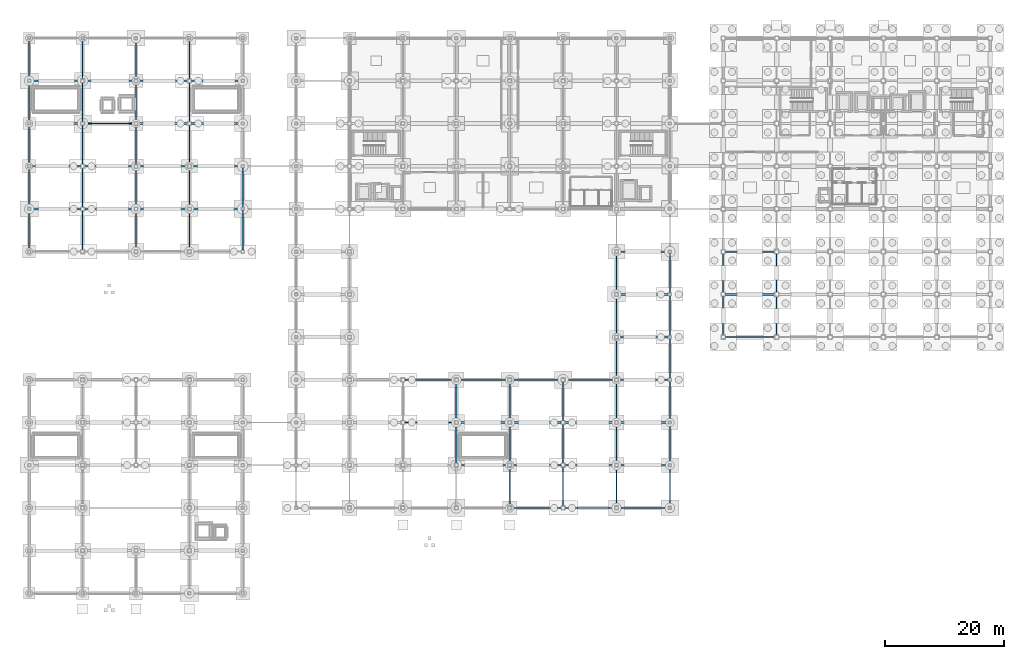
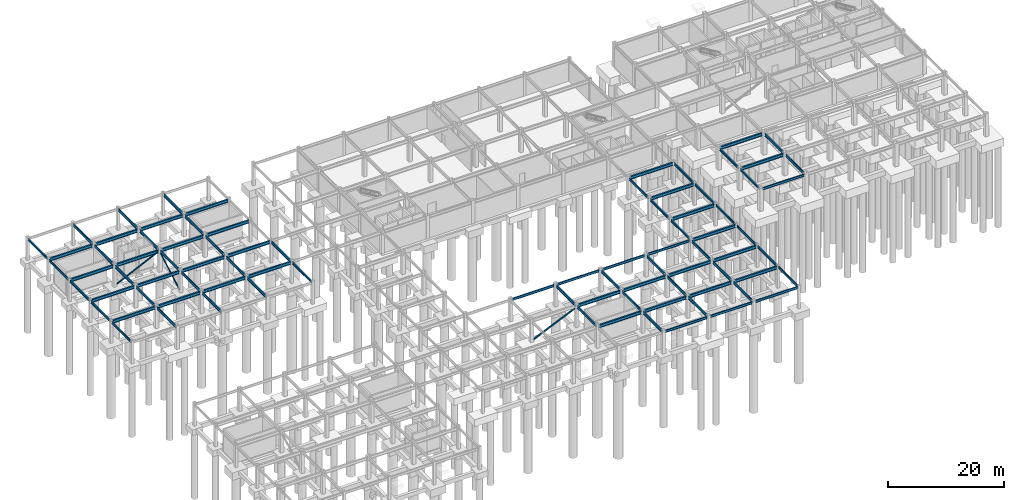
# One storey, part 18 of 28: 84 beams, 3 members.
"""IFC4 building model written with IfcOpenShell, lengths in metres."""

from ifc_helpers import new_model, si_unit, direction, frame, origin, origin_2d, place, context, subcontext, project, spatial, hollow_rectangle, i_section, extrude, material, material_profile, profile_set, type_object, element, save


model = new_model("IFC4")

# Units and contexts
model_context = context("Model", 3, precision=1e-05, world=origin(), true_north=direction((0.0, 1.0)))
body_context = subcontext(model_context, "Body", "Model", "MODEL_VIEW")
ifc_project = project(units=[si_unit("LENGTHUNIT", "METRE"), si_unit("AREAUNIT", "SQUARE_METRE"), si_unit("VOLUMEUNIT", "CUBIC_METRE"), si_unit("PLANEANGLEUNIT", "RADIAN"), si_unit("MASSUNIT", "GRAM", prefix="KILO")], contexts=[model_context])

# Site, building, storey
site_placement = place(None, origin())
site = spatial("IfcSite", under=ifc_project, at=site_placement, CompositionType="ELEMENT")
building_placement = place(site_placement, origin())
building = spatial("IfcBuilding", under=site, at=building_placement, Name="Kazanami Central Library", CompositionType="ELEMENT")
storey_placement = place(building_placement, frame((0.0, 0.0, -4.89990234375)))
storey = spatial("IfcBuildingStorey", under=building, at=storey_placement, Name="B01", CompositionType="ELEMENT", Elevation=-4.89990234375)

# Beams
ifc_material_1 = material(Name="Steel SN490B (325 MPa)", Category="steel")
ifc_material_profile_1 = material_profile(ifc_material_1, i_section(OverallWidth=0.199951171875, OverallDepth=0.60009765625, WebThickness=0.010986328125, FlangeThickness=0.01708984375, at=origin_2d()), Name="H-600x200x11x17")
ifc_profile_set_1 = profile_set([ifc_material_profile_1], Name="Steel SN490B (325 MPa)")
beam_type_1 = type_object("IfcBeamType", Name="BM-G-BY1", PredefinedType="BEAM", material=ifc_profile_set_1)
for number, where, z_axis, x_axis, name in (
    (1, (9.0, 57.923095703125, 4.324951171875), (0.0, 1.0, 0.0), (-1.0, 0.0, 0.0), "Girder G-BY1 B01 2/J-K"),
    (2, (9.0, 65.123046875, 4.324951171875), (0.0, 1.0, 0.0), (-1.0, 0.0, 0.0), "Girder G-BY1 B01 2/K-L"),
    (3, (9.0, 72.322998046875, 4.324951171875), (0.0, 1.0, 0.0), (-1.0, 0.0, 0.0), "Girder G-BY1 B01 2/L-M"),
    (4, (9.0, 79.52294921875, 4.324951171875), (0.0, 1.0, 0.0), (-1.0, 0.0, 0.0), "Girder G-BY1 B01 2/M-N"),
):
    element("IfcBeam", number, at=place(storey_placement, frame(where, z_axis=z_axis, x_axis=x_axis)), inside=storey, type_object=beam_type_1, Name=name, PredefinedType="BEAM", context=body_context, shape_type="SweptSolid", body=[
        extrude(i_section(OverallWidth=0.199951171875, OverallDepth=0.60009765625, WebThickness=0.010986328125, FlangeThickness=0.01708984375, at=origin_2d()), origin(), (0.0, 0.0, 1.0), 6.553955078125),
    ])
beam_1_placement = place(storey_placement, frame((9.0, 86.722900390625, 4.324951171875), z_axis=(0.0, 1.0, 0.0), x_axis=(-1.0, 0.0, 0.0)))
element("IfcBeam", 5, at=beam_1_placement, inside=storey, type_object=beam_type_1, Name="Girder G-BY1 B01 2/N-O", PredefinedType="BEAM", context=body_context, shape_type="SweptSolid", body=[
    extrude(i_section(OverallWidth=0.199951171875, OverallDepth=0.60009765625, WebThickness=0.010986328125, FlangeThickness=0.01708984375, at=origin_2d()), origin(), (0.0, 0.0, 1.0), 6.629150390625),
])
for number, where, z_axis, x_axis, name in (
    (6, (18.0, 57.923095703125, 4.324951171875), (0.0, 1.0, 0.0), (-1.0, 0.0, 0.0), "Girder G-BY1 B01 3/J-K"),
    (7, (18.0, 65.123046875, 4.324951171875), (0.0, 1.0, 0.0), (-1.0, 0.0, 0.0), "Girder G-BY1 B01 3/K-L"),
    (8, (18.0, 72.322998046875, 4.324951171875), (0.0, 1.0, 0.0), (-1.0, 0.0, 0.0), "Girder G-BY1 B01 3/L-M"),
    (9, (18.0, 79.52294921875, 4.324951171875), (0.0, 1.0, 0.0), (-1.0, 0.0, 0.0), "Girder G-BY1 B01 3/M-N"),
):
    element("IfcBeam", number, at=place(storey_placement, frame(where, z_axis=z_axis, x_axis=x_axis)), inside=storey, type_object=beam_type_1, Name=name, PredefinedType="BEAM", context=body_context, shape_type="SweptSolid", body=[
        extrude(i_section(OverallWidth=0.199951171875, OverallDepth=0.60009765625, WebThickness=0.010986328125, FlangeThickness=0.01708984375, at=origin_2d()), origin(), (0.0, 0.0, 1.0), 6.553955078125),
    ])
beam_2_placement = place(storey_placement, frame((18.0, 86.722900390625, 4.324951171875), z_axis=(0.0, 1.0, 0.0), x_axis=(-1.0, 0.0, 0.0)))
element("IfcBeam", 10, at=beam_2_placement, inside=storey, type_object=beam_type_1, Name="Girder G-BY1 B01 3/N-O", PredefinedType="BEAM", context=body_context, shape_type="SweptSolid", body=[
    extrude(i_section(OverallWidth=0.199951171875, OverallDepth=0.60009765625, WebThickness=0.010986328125, FlangeThickness=0.01708984375, at=origin_2d()), origin(), (0.0, 0.0, 1.0), 6.629150390625),
])
for number, where, z_axis, x_axis, name in (
    (11, (27.0, 57.923095703125, 4.324951171875), (0.0, 1.0, 0.0), (-1.0, 0.0, 0.0), "Girder G-BY1 B01 4/J-K"),
    (12, (27.0, 65.123046875, 4.324951171875), (0.0, 1.0, 0.0), (-1.0, 0.0, 0.0), "Girder G-BY1 B01 4/K-L"),
    (13, (27.0, 72.322998046875, 4.324951171875), (0.0, 1.0, 0.0), (-1.0, 0.0, 0.0), "Girder G-BY1 B01 4/L-M"),
    (14, (27.0, 79.52294921875, 4.324951171875), (0.0, 1.0, 0.0), (-1.0, 0.0, 0.0), "Girder G-BY1 B01 4/M-N"),
):
    element("IfcBeam", number, at=place(storey_placement, frame(where, z_axis=z_axis, x_axis=x_axis)), inside=storey, type_object=beam_type_1, Name=name, PredefinedType="BEAM", context=body_context, shape_type="SweptSolid", body=[
        extrude(i_section(OverallWidth=0.199951171875, OverallDepth=0.60009765625, WebThickness=0.010986328125, FlangeThickness=0.01708984375, at=origin_2d()), origin(), (0.0, 0.0, 1.0), 6.553955078125),
    ])
beam_3_placement = place(storey_placement, frame((27.0, 86.722900390625, 4.324951171875), z_axis=(0.0, 1.0, 0.0), x_axis=(-1.0, 0.0, 0.0)))
element("IfcBeam", 15, at=beam_3_placement, inside=storey, type_object=beam_type_1, Name="Girder G-BY1 B01 4/N-O", PredefinedType="BEAM", context=body_context, shape_type="SweptSolid", body=[
    extrude(i_section(OverallWidth=0.199951171875, OverallDepth=0.60009765625, WebThickness=0.010986328125, FlangeThickness=0.01708984375, at=origin_2d()), origin(), (0.0, 0.0, 1.0), 6.629150390625),
])
beam_4_placement = place(storey_placement, frame((36.0, 65.048095703125, 4.324951171875), z_axis=(0.0, 1.0, 0.0), x_axis=(-1.0, 0.0, 0.0)))
element("IfcBeam", 16, at=beam_4_placement, inside=storey, type_object=beam_type_1, Name="Girder G-BY1 B01 5/K-L", PredefinedType="BEAM", context=body_context, shape_type="SweptSolid", body=[
    extrude(i_section(OverallWidth=0.199951171875, OverallDepth=0.60009765625, WebThickness=0.010986328125, FlangeThickness=0.01708984375, at=origin_2d()), origin(), (0.0, 0.0, 1.0), 6.703857421875),
])
for number, where, z_axis, x_axis, name in (
    (17, (72.0, 21.923095703125, 4.324951171875), (0.0, 1.0, 0.0), (-1.0, 0.0, 0.0), "Girder G-BY1 B01 9/D-E"),
    (18, (72.0, 29.123046875, 4.324951171875), (0.0, 1.0, 0.0), (-1.0, 0.0, 0.0), "Girder G-BY1 B01 9/E-F"),
):
    element("IfcBeam", number, at=place(storey_placement, frame(where, z_axis=z_axis, x_axis=x_axis)), inside=storey, type_object=beam_type_1, Name=name, PredefinedType="BEAM", context=body_context, shape_type="SweptSolid", body=[
        extrude(i_section(OverallWidth=0.199951171875, OverallDepth=0.60009765625, WebThickness=0.010986328125, FlangeThickness=0.01708984375, at=origin_2d()), origin(), (0.0, 0.0, 1.0), 6.553955078125),
    ])
beam_5_placement = place(storey_placement, frame((81.0, 14.722900390625, 4.35986328125), z_axis=(0.0, 1.0, 0.0), x_axis=(-1.0, 0.0, 0.0)))
element("IfcBeam", 19, at=beam_5_placement, inside=storey, type_object=beam_type_1, Name="Girder G-BY1 B01 10/C-D", PredefinedType="BEAM", context=body_context, shape_type="SweptSolid", body=[
    extrude(i_section(OverallWidth=0.199951171875, OverallDepth=0.60009765625, WebThickness=0.010986328125, FlangeThickness=0.01708984375, at=origin_2d()), origin(), (0.0, 0.0, 1.0), 6.55419921875),
])
for number, where, z_axis, x_axis, name in (
    (20, (81.0, 21.923095703125, 4.324951171875), (0.0, 1.0, 0.0), (-1.0, 0.0, 0.0), "Girder G-BY1 B01 10/D-E"),
    (21, (81.0, 29.123046875, 4.324951171875), (0.0, 1.0, 0.0), (-1.0, 0.0, 0.0), "Girder G-BY1 B01 10/E-F"),
):
    element("IfcBeam", number, at=place(storey_placement, frame(where, z_axis=z_axis, x_axis=x_axis)), inside=storey, type_object=beam_type_1, Name=name, PredefinedType="BEAM", context=body_context, shape_type="SweptSolid", body=[
        extrude(i_section(OverallWidth=0.199951171875, OverallDepth=0.60009765625, WebThickness=0.010986328125, FlangeThickness=0.01708984375, at=origin_2d()), origin(), (0.0, 0.0, 1.0), 6.553955078125),
    ])
beam_6_placement = place(storey_placement, frame((90.0, 14.722900390625, 4.35986328125), z_axis=(0.0, 1.0, 0.0), x_axis=(-1.0, 0.0, 0.0)))
element("IfcBeam", 22, at=beam_6_placement, inside=storey, type_object=beam_type_1, Name="Girder G-BY1 B01 11/C-D", PredefinedType="BEAM", context=body_context, shape_type="SweptSolid", body=[
    extrude(i_section(OverallWidth=0.199951171875, OverallDepth=0.60009765625, WebThickness=0.010986328125, FlangeThickness=0.01708984375, at=origin_2d()), origin(), (0.0, 0.0, 1.0), 6.55419921875),
])
for number, where, z_axis, x_axis, name in (
    (23, (90.0, 21.923095703125, 4.324951171875), (0.0, 1.0, 0.0), (-1.0, 0.0, 0.0), "Girder G-BY1 B01 11/D-E"),
    (24, (90.0, 29.123046875, 4.324951171875), (0.0, 1.0, 0.0), (-1.0, 0.0, 0.0), "Girder G-BY1 B01 11/E-F"),
):
    element("IfcBeam", number, at=place(storey_placement, frame(where, z_axis=z_axis, x_axis=x_axis)), inside=storey, type_object=beam_type_1, Name=name, PredefinedType="BEAM", context=body_context, shape_type="SweptSolid", body=[
        extrude(i_section(OverallWidth=0.199951171875, OverallDepth=0.60009765625, WebThickness=0.010986328125, FlangeThickness=0.01708984375, at=origin_2d()), origin(), (0.0, 0.0, 1.0), 6.553955078125),
    ])
beam_7_placement = place(storey_placement, frame((99.0, 14.722900390625, 4.35986328125), z_axis=(0.0, 1.0, 0.0), x_axis=(-1.0, 0.0, 0.0)))
element("IfcBeam", 25, at=beam_7_placement, inside=storey, type_object=beam_type_1, Name="Girder G-BY1 B01 12/C-D", PredefinedType="BEAM", context=body_context, shape_type="SweptSolid", body=[
    extrude(i_section(OverallWidth=0.199951171875, OverallDepth=0.60009765625, WebThickness=0.010986328125, FlangeThickness=0.01708984375, at=origin_2d()), origin(), (0.0, 0.0, 1.0), 6.55419921875),
])
for number, where, z_axis, x_axis, name in (
    (26, (99.0, 21.923095703125, 4.324951171875), (0.0, 1.0, 0.0), (-1.0, 0.0, 0.0), "Girder G-BY1 B01 12/D-E"),
    (27, (99.0, 29.123046875, 4.324951171875), (0.0, 1.0, 0.0), (-1.0, 0.0, 0.0), "Girder G-BY1 B01 12/E-F"),
):
    element("IfcBeam", number, at=place(storey_placement, frame(where, z_axis=z_axis, x_axis=x_axis)), inside=storey, type_object=beam_type_1, Name=name, PredefinedType="BEAM", context=body_context, shape_type="SweptSolid", body=[
        extrude(i_section(OverallWidth=0.199951171875, OverallDepth=0.60009765625, WebThickness=0.010986328125, FlangeThickness=0.01708984375, at=origin_2d()), origin(), (0.0, 0.0, 1.0), 6.553955078125),
    ])
for number, where, z_axis, x_axis, name in (
    (28, (126.0, 43.572998046875, 4.324951171875), (0.0, 1.0, 0.0), (-1.0, 0.0, 0.0), "Girder G-BY1 B01 15/G-H"),
    (29, (126.0, 50.77294921875, 4.324951171875), (0.0, 1.0, 0.0), (-1.0, 0.0, 0.0), "Girder G-BY1 B01 15/H-J"),
):
    element("IfcBeam", number, at=place(storey_placement, frame(where, z_axis=z_axis, x_axis=x_axis)), inside=storey, type_object=beam_type_1, Name=name, PredefinedType="BEAM", context=body_context, shape_type="SweptSolid", body=[
        extrude(i_section(OverallWidth=0.199951171875, OverallDepth=0.60009765625, WebThickness=0.010986328125, FlangeThickness=0.01708984375, at=origin_2d()), origin(), (0.0, 0.0, 1.0), 6.4541015625),
    ])
ifc_material_profile_2 = material_profile(ifc_material_1, i_section(OverallWidth=0.300048828125, OverallDepth=0.64990234375, WebThickness=0.012939453125, FlangeThickness=0.02099609375, at=origin_2d()), Name="H-650x300x13x21")
ifc_profile_set_2 = profile_set([ifc_material_profile_2], Name="Steel SN490B (325 MPa)")
beam_type_2 = type_object("IfcBeamType", Name="BM-G-TR", PredefinedType="BEAM", material=ifc_profile_set_2)
for number, where, z_axis, x_axis, name in (
    (30, (72.322998046875, 21.60009765625, 4.2998046875), (1.0, 0.0, 0.0), (0.0, 1.0, 0.0), "Girder G-TR B01 D/9-10"),
    (31, (81.322998046875, 21.60009765625, 4.2998046875), (1.0, 0.0, 0.0), (0.0, 1.0, 0.0), "Girder G-TR B01 D/10-11"),
    (32, (90.322998046875, 21.60009765625, 4.2998046875), (1.0, 0.0, 0.0), (0.0, 1.0, 0.0), "Girder G-TR B01 D/11-12"),
):
    element("IfcBeam", number, at=place(storey_placement, frame(where, z_axis=z_axis, x_axis=x_axis)), inside=storey, type_object=beam_type_2, Name=name, PredefinedType="BEAM", context=body_context, shape_type="SweptSolid", body=[
        extrude(i_section(OverallWidth=0.300048828125, OverallDepth=0.64990234375, WebThickness=0.012939453125, FlangeThickness=0.02099609375, at=origin_2d()), origin(), (0.0, 0.0, 1.0), 8.35400390625),
    ])
beam_8_placement = place(storey_placement, frame((99.322998046875, 21.60009765625, 4.2998046875), z_axis=(1.0, 0.0, 0.0), x_axis=(0.0, 1.0, 0.0)))
element("IfcBeam", 33, at=beam_8_placement, inside=storey, type_object=beam_type_2, Name="Girder G-TR B01 D/12-13", PredefinedType="BEAM", context=body_context, shape_type="SweptSolid", body=[
    extrude(i_section(OverallWidth=0.300048828125, OverallDepth=0.64990234375, WebThickness=0.012939453125, FlangeThickness=0.02099609375, at=origin_2d()), origin(), (0.0, 0.0, 1.0), 8.428955078125),
])
for number, where, z_axis, x_axis, name in (
    (34, (72.322998046875, 28.800048828125, 4.2998046875), (1.0, 0.0, 0.0), (0.0, 1.0, 0.0), "Girder G-TR B01 E/9-10"),
    (35, (81.322998046875, 28.800048828125, 4.2998046875), (1.0, 0.0, 0.0), (0.0, 1.0, 0.0), "Girder G-TR B01 E/10-11"),
    (36, (90.322998046875, 28.800048828125, 4.2998046875), (1.0, 0.0, 0.0), (0.0, 1.0, 0.0), "Girder G-TR B01 E/11-12"),
):
    element("IfcBeam", number, at=place(storey_placement, frame(where, z_axis=z_axis, x_axis=x_axis)), inside=storey, type_object=beam_type_2, Name=name, PredefinedType="BEAM", context=body_context, shape_type="SweptSolid", body=[
        extrude(i_section(OverallWidth=0.300048828125, OverallDepth=0.64990234375, WebThickness=0.012939453125, FlangeThickness=0.02099609375, at=origin_2d()), origin(), (0.0, 0.0, 1.0), 8.35400390625),
    ])
for number, where, z_axis, x_axis, name in (
    (37, (99.322998046875, 28.800048828125, 4.2998046875), (1.0, 0.0, 0.0), (0.0, 1.0, 0.0), "Girder G-TR B01 E/12-13"),
    (38, (99.322998046875, 36.0, 4.2998046875), (1.0, 0.0, 0.0), (0.0, 1.0, 0.0), "Girder G-TR B01 F/12-13"),
    (39, (99.322998046875, 43.199951171875, 4.2998046875), (1.0, 0.0, 0.0), (0.0, 1.0, 0.0), "Girder G-TR B01 G/12-13"),
    (40, (99.322998046875, 50.39990234375, 4.2998046875), (1.0, 0.0, 0.0), (0.0, 1.0, 0.0), "Girder G-TR B01 H/12-13"),
):
    element("IfcBeam", number, at=place(storey_placement, frame(where, z_axis=z_axis, x_axis=x_axis)), inside=storey, type_object=beam_type_2, Name=name, PredefinedType="BEAM", context=body_context, shape_type="SweptSolid", body=[
        extrude(i_section(OverallWidth=0.300048828125, OverallDepth=0.64990234375, WebThickness=0.012939453125, FlangeThickness=0.02099609375, at=origin_2d()), origin(), (0.0, 0.0, 1.0), 8.428955078125),
    ])
beam_9_placement = place(storey_placement, frame((117.347900390625, 50.39990234375, 4.2998046875), z_axis=(1.0, 0.0, 0.0), x_axis=(0.0, 1.0, 0.0)))
element("IfcBeam", 41, at=beam_9_placement, inside=storey, type_object=beam_type_2, Name="Girder G-TR B01 H/14-15", PredefinedType="BEAM", context=body_context, shape_type="SweptSolid", body=[
    extrude(i_section(OverallWidth=0.300048828125, OverallDepth=0.64990234375, WebThickness=0.012939453125, FlangeThickness=0.02099609375, at=origin_2d()), origin(), (0.0, 0.0, 1.0), 8.279052734375),
])
beam_10_placement = place(storey_placement, frame((99.322998046875, 57.60009765625, 4.2998046875), z_axis=(1.0, 0.0, 0.0), x_axis=(0.0, 1.0, 0.0)))
element("IfcBeam", 42, at=beam_10_placement, inside=storey, type_object=beam_type_2, Name="Girder G-TR B01 J/12-13", PredefinedType="BEAM", context=body_context, shape_type="SweptSolid", body=[
    extrude(i_section(OverallWidth=0.300048828125, OverallDepth=0.64990234375, WebThickness=0.012939453125, FlangeThickness=0.02099609375, at=origin_2d()), origin(), (0.0, 0.0, 1.0), 8.428955078125),
])
beam_11_placement = place(storey_placement, frame((117.347900390625, 57.60009765625, 4.2998046875), z_axis=(1.0, 0.0, 0.0), x_axis=(0.0, 1.0, 0.0)))
element("IfcBeam", 43, at=beam_11_placement, inside=storey, type_object=beam_type_2, Name="Girder G-TR B01 J/14-15", PredefinedType="BEAM", context=body_context, shape_type="SweptSolid", body=[
    extrude(i_section(OverallWidth=0.300048828125, OverallDepth=0.64990234375, WebThickness=0.012939453125, FlangeThickness=0.02099609375, at=origin_2d()), origin(), (0.0, 0.0, 1.0), 8.279052734375),
])
beam_12_placement = place(storey_placement, frame((0.248046875, 64.800048828125, 4.2998046875), z_axis=(1.0, 0.0, 0.0), x_axis=(0.0, 1.0, 0.0)))
element("IfcBeam", 44, at=beam_12_placement, inside=storey, type_object=beam_type_2, Name="Girder G-TR B01 K/1-2", PredefinedType="BEAM", context=body_context, shape_type="SweptSolid", body=[
    extrude(i_section(OverallWidth=0.300048828125, OverallDepth=0.64990234375, WebThickness=0.012939453125, FlangeThickness=0.02099609375, at=origin_2d()), origin(), (0.0, 0.0, 1.0), 8.428955078125),
])
for number, where, z_axis, x_axis, name in (
    (45, (9.322998046875, 64.800048828125, 4.2998046875), (1.0, 0.0, 0.0), (0.0, 1.0, 0.0), "Girder G-TR B01 K/2-3"),
    (46, (18.322998046875, 64.800048828125, 4.2998046875), (1.0, 0.0, 0.0), (0.0, 1.0, 0.0), "Girder G-TR B01 K/3-4"),
):
    element("IfcBeam", number, at=place(storey_placement, frame(where, z_axis=z_axis, x_axis=x_axis)), inside=storey, type_object=beam_type_2, Name=name, PredefinedType="BEAM", context=body_context, shape_type="SweptSolid", body=[
        extrude(i_section(OverallWidth=0.300048828125, OverallDepth=0.64990234375, WebThickness=0.012939453125, FlangeThickness=0.02099609375, at=origin_2d()), origin(), (0.0, 0.0, 1.0), 8.35400390625),
    ])
for number, where, z_axis, x_axis, name in (
    (47, (27.322998046875, 64.800048828125, 4.2998046875), (1.0, 0.0, 0.0), (0.0, 1.0, 0.0), "Girder G-TR B01 K/4-5"),
    (48, (0.248046875, 72.0, 4.2998046875), (1.0, 0.0, 0.0), (0.0, 1.0, 0.0), "Girder G-TR B01 L/1-2"),
):
    element("IfcBeam", number, at=place(storey_placement, frame(where, z_axis=z_axis, x_axis=x_axis)), inside=storey, type_object=beam_type_2, Name=name, PredefinedType="BEAM", context=body_context, shape_type="SweptSolid", body=[
        extrude(i_section(OverallWidth=0.300048828125, OverallDepth=0.64990234375, WebThickness=0.012939453125, FlangeThickness=0.02099609375, at=origin_2d()), origin(), (0.0, 0.0, 1.0), 8.428955078125),
    ])
for number, where, z_axis, x_axis, name in (
    (49, (9.322998046875, 72.0, 4.2998046875), (1.0, 0.0, 0.0), (0.0, 1.0, 0.0), "Girder G-TR B01 L/2-3"),
    (50, (18.322998046875, 72.0, 4.2998046875), (1.0, 0.0, 0.0), (0.0, 1.0, 0.0), "Girder G-TR B01 L/3-4"),
):
    element("IfcBeam", number, at=place(storey_placement, frame(where, z_axis=z_axis, x_axis=x_axis)), inside=storey, type_object=beam_type_2, Name=name, PredefinedType="BEAM", context=body_context, shape_type="SweptSolid", body=[
        extrude(i_section(OverallWidth=0.300048828125, OverallDepth=0.64990234375, WebThickness=0.012939453125, FlangeThickness=0.02099609375, at=origin_2d()), origin(), (0.0, 0.0, 1.0), 8.35400390625),
    ])
for number, where, z_axis, x_axis, name in (
    (51, (27.322998046875, 72.0, 4.2998046875), (1.0, 0.0, 0.0), (0.0, 1.0, 0.0), "Girder G-TR B01 L/4-5"),
    (52, (0.248046875, 79.199951171875, 4.2998046875), (1.0, 0.0, 0.0), (0.0, 1.0, 0.0), "Girder G-TR B01 M/1-2"),
):
    element("IfcBeam", number, at=place(storey_placement, frame(where, z_axis=z_axis, x_axis=x_axis)), inside=storey, type_object=beam_type_2, Name=name, PredefinedType="BEAM", context=body_context, shape_type="SweptSolid", body=[
        extrude(i_section(OverallWidth=0.300048828125, OverallDepth=0.64990234375, WebThickness=0.012939453125, FlangeThickness=0.02099609375, at=origin_2d()), origin(), (0.0, 0.0, 1.0), 8.428955078125),
    ])
for number, where, z_axis, x_axis, name in (
    (53, (9.322998046875, 79.199951171875, 4.2998046875), (1.0, 0.0, 0.0), (0.0, 1.0, 0.0), "Girder G-TR B01 M/2-3"),
    (54, (18.322998046875, 79.199951171875, 4.2998046875), (1.0, 0.0, 0.0), (0.0, 1.0, 0.0), "Girder G-TR B01 M/3-4"),
):
    element("IfcBeam", number, at=place(storey_placement, frame(where, z_axis=z_axis, x_axis=x_axis)), inside=storey, type_object=beam_type_2, Name=name, PredefinedType="BEAM", context=body_context, shape_type="SweptSolid", body=[
        extrude(i_section(OverallWidth=0.300048828125, OverallDepth=0.64990234375, WebThickness=0.012939453125, FlangeThickness=0.02099609375, at=origin_2d()), origin(), (0.0, 0.0, 1.0), 8.35400390625),
    ])
for number, where, z_axis, x_axis, name in (
    (55, (27.322998046875, 79.199951171875, 4.2998046875), (1.0, 0.0, 0.0), (0.0, 1.0, 0.0), "Girder G-TR B01 M/4-5"),
    (56, (0.248046875, 86.39990234375, 4.2998046875), (1.0, 0.0, 0.0), (0.0, 1.0, 0.0), "Girder G-TR B01 N/1-2"),
):
    element("IfcBeam", number, at=place(storey_placement, frame(where, z_axis=z_axis, x_axis=x_axis)), inside=storey, type_object=beam_type_2, Name=name, PredefinedType="BEAM", context=body_context, shape_type="SweptSolid", body=[
        extrude(i_section(OverallWidth=0.300048828125, OverallDepth=0.64990234375, WebThickness=0.012939453125, FlangeThickness=0.02099609375, at=origin_2d()), origin(), (0.0, 0.0, 1.0), 8.428955078125),
    ])
for number, where, z_axis, x_axis, name in (
    (57, (9.322998046875, 86.39990234375, 4.2998046875), (1.0, 0.0, 0.0), (0.0, 1.0, 0.0), "Girder G-TR B01 N/2-3"),
    (58, (18.322998046875, 86.39990234375, 4.2998046875), (1.0, 0.0, 0.0), (0.0, 1.0, 0.0), "Girder G-TR B01 N/3-4"),
):
    element("IfcBeam", number, at=place(storey_placement, frame(where, z_axis=z_axis, x_axis=x_axis)), inside=storey, type_object=beam_type_2, Name=name, PredefinedType="BEAM", context=body_context, shape_type="SweptSolid", body=[
        extrude(i_section(OverallWidth=0.300048828125, OverallDepth=0.64990234375, WebThickness=0.012939453125, FlangeThickness=0.02099609375, at=origin_2d()), origin(), (0.0, 0.0, 1.0), 8.35400390625),
    ])
beam_13_placement = place(storey_placement, frame((27.322998046875, 86.39990234375, 4.2998046875), z_axis=(1.0, 0.0, 0.0), x_axis=(0.0, 1.0, 0.0)))
element("IfcBeam", 59, at=beam_13_placement, inside=storey, type_object=beam_type_2, Name="Girder G-TR B01 N/4-5", PredefinedType="BEAM", context=body_context, shape_type="SweptSolid", body=[
    extrude(i_section(OverallWidth=0.300048828125, OverallDepth=0.64990234375, WebThickness=0.012939453125, FlangeThickness=0.02099609375, at=origin_2d()), origin(), (0.0, 0.0, 1.0), 8.428955078125),
])
ifc_material_profile_3 = material_profile(ifc_material_1, i_section(OverallWidth=0.199951171875, OverallDepth=0.5, WebThickness=0.010009765625, FlangeThickness=0.01611328125, at=origin_2d()), Name="H-500x200x10x16")
ifc_profile_set_3 = profile_set([ifc_material_profile_3], Name="Steel SN490B (325 MPa)")
beam_type_3 = type_object("IfcBeamType", Name="BM-SP-1", PredefinedType="SPANDREL", material=ifc_profile_set_3)
for number, where, z_axis, x_axis, name in (
    (60, (81.322998046875, 14.39990234375, 4.409912109375), (1.0, 0.0, 0.0), (0.0, 1.0, 0.0), "Girder SP-1 B01 C/10-11"),
    (61, (90.322998046875, 14.39990234375, 4.409912109375), (1.0, 0.0, 0.0), (0.0, 1.0, 0.0), "Girder SP-1 B01 C/11-12"),
):
    element("IfcBeam", number, at=place(storey_placement, frame(where, z_axis=z_axis, x_axis=x_axis)), inside=storey, type_object=beam_type_3, Name=name, PredefinedType="SPANDREL", context=body_context, shape_type="SweptSolid", body=[
        extrude(i_section(OverallWidth=0.199951171875, OverallDepth=0.5, WebThickness=0.010009765625, FlangeThickness=0.01611328125, at=origin_2d()), origin(), (0.0, 0.0, 1.0), 8.35400390625),
    ])
beam_14_placement = place(storey_placement, frame((99.322998046875, 14.39990234375, 4.409912109375), z_axis=(1.0, 0.0, 0.0), x_axis=(0.0, 1.0, 0.0)))
element("IfcBeam", 62, at=beam_14_placement, inside=storey, type_object=beam_type_3, Name="Girder SP-1 B01 C/12-13", PredefinedType="SPANDREL", context=body_context, shape_type="SweptSolid", body=[
    extrude(i_section(OverallWidth=0.199951171875, OverallDepth=0.5, WebThickness=0.010009765625, FlangeThickness=0.01611328125, at=origin_2d()), origin(), (0.0, 0.0, 1.0), 8.428955078125),
])
for number, where, z_axis, x_axis, name in (
    (63, (63.322998046875, 36.0, 4.375), (1.0, 0.0, 0.0), (0.0, 1.0, 0.0), "Girder SP-1 B01 F/8-9"),
    (64, (72.322998046875, 36.0, 4.375), (1.0, 0.0, 0.0), (0.0, 1.0, 0.0), "Girder SP-1 B01 F/9-10"),
    (65, (81.322998046875, 36.0, 4.375), (1.0, 0.0, 0.0), (0.0, 1.0, 0.0), "Girder SP-1 B01 F/10-11"),
    (66, (90.322998046875, 36.0, 4.375), (1.0, 0.0, 0.0), (0.0, 1.0, 0.0), "Girder SP-1 B01 F/11-12"),
):
    element("IfcBeam", number, at=place(storey_placement, frame(where, z_axis=z_axis, x_axis=x_axis)), inside=storey, type_object=beam_type_3, Name=name, PredefinedType="SPANDREL", context=body_context, shape_type="SweptSolid", body=[
        extrude(i_section(OverallWidth=0.199951171875, OverallDepth=0.5, WebThickness=0.010009765625, FlangeThickness=0.01611328125, at=origin_2d()), origin(), (0.0, 0.0, 1.0), 8.35400390625),
    ])
beam_15_placement = place(storey_placement, frame((117.347900390625, 43.199951171875, 4.375), z_axis=(1.0, 0.0, 0.0), x_axis=(0.0, 1.0, 0.0)))
element("IfcBeam", 67, at=beam_15_placement, inside=storey, type_object=beam_type_3, Name="Girder SP-1 B01 G/14-15", PredefinedType="SPANDREL", context=body_context, shape_type="SweptSolid", body=[
    extrude(i_section(OverallWidth=0.199951171875, OverallDepth=0.5, WebThickness=0.010009765625, FlangeThickness=0.01611328125, at=origin_2d()), origin(), (0.0, 0.0, 1.0), 8.279052734375),
])
beam_16_placement = place(storey_placement, frame((0.0, 57.847900390625, 4.375), z_axis=(0.0, 1.0, 0.0), x_axis=(-1.0, 0.0, 0.0)))
element("IfcBeam", 68, at=beam_16_placement, inside=storey, type_object=beam_type_3, Name="Girder SP-1 B01 1/J-K", PredefinedType="SPANDREL", context=body_context, shape_type="SweptSolid", body=[
    extrude(i_section(OverallWidth=0.199951171875, OverallDepth=0.5, WebThickness=0.010009765625, FlangeThickness=0.01611328125, at=origin_2d()), origin(), (0.0, 0.0, 1.0), 6.7041015625),
])
for number, where, z_axis, x_axis, name in (
    (69, (0.0, 65.048095703125, 4.375), (0.0, 1.0, 0.0), (-1.0, 0.0, 0.0), "Girder SP-1 B01 1/K-L"),
    (70, (0.0, 72.248046875, 4.375), (0.0, 1.0, 0.0), (-1.0, 0.0, 0.0), "Girder SP-1 B01 1/L-M"),
):
    element("IfcBeam", number, at=place(storey_placement, frame(where, z_axis=z_axis, x_axis=x_axis)), inside=storey, type_object=beam_type_3, Name=name, PredefinedType="SPANDREL", context=body_context, shape_type="SweptSolid", body=[
        extrude(i_section(OverallWidth=0.199951171875, OverallDepth=0.5, WebThickness=0.010009765625, FlangeThickness=0.01611328125, at=origin_2d()), origin(), (0.0, 0.0, 1.0), 6.703857421875),
    ])
for number, where, z_axis, x_axis, name in (
    (71, (0.0, 79.447998046875, 4.375), (0.0, 1.0, 0.0), (-1.0, 0.0, 0.0), "Girder SP-1 B01 1/M-N"),
    (72, (0.0, 86.64794921875, 4.375), (0.0, 1.0, 0.0), (-1.0, 0.0, 0.0), "Girder SP-1 B01 1/N-O"),
    (73, (36.0, 57.847900390625, 4.375), (0.0, 1.0, 0.0), (-1.0, 0.0, 0.0), "Girder SP-1 B01 5/J-K"),
):
    element("IfcBeam", number, at=place(storey_placement, frame(where, z_axis=z_axis, x_axis=x_axis)), inside=storey, type_object=beam_type_3, Name=name, PredefinedType="SPANDREL", context=body_context, shape_type="SweptSolid", body=[
        extrude(i_section(OverallWidth=0.199951171875, OverallDepth=0.5, WebThickness=0.010009765625, FlangeThickness=0.01611328125, at=origin_2d()), origin(), (0.0, 0.0, 1.0), 6.7041015625),
    ])
for number, where, z_axis, x_axis, name in (
    (74, (99.0, 36.322998046875, 4.375), (0.0, 1.0, 0.0), (-1.0, 0.0, 0.0), "Girder SP-1 B01 12/F-G"),
    (75, (99.0, 43.52294921875, 4.375), (0.0, 1.0, 0.0), (-1.0, 0.0, 0.0), "Girder SP-1 B01 12/G-H"),
):
    element("IfcBeam", number, at=place(storey_placement, frame(where, z_axis=z_axis, x_axis=x_axis)), inside=storey, type_object=beam_type_3, Name=name, PredefinedType="SPANDREL", context=body_context, shape_type="SweptSolid", body=[
        extrude(i_section(OverallWidth=0.199951171875, OverallDepth=0.5, WebThickness=0.010009765625, FlangeThickness=0.01611328125, at=origin_2d()), origin(), (0.0, 0.0, 1.0), 6.553955078125),
    ])
beam_17_placement = place(storey_placement, frame((99.0, 50.722900390625, 4.375), z_axis=(0.0, 1.0, 0.0), x_axis=(-1.0, 0.0, 0.0)))
element("IfcBeam", 76, at=beam_17_placement, inside=storey, type_object=beam_type_3, Name="Girder SP-1 B01 12/H-J", PredefinedType="SPANDREL", context=body_context, shape_type="SweptSolid", body=[
    extrude(i_section(OverallWidth=0.199951171875, OverallDepth=0.5, WebThickness=0.010009765625, FlangeThickness=0.01611328125, at=origin_2d()), origin(), (0.0, 0.0, 1.0), 6.55419921875),
])
for number, where, z_axis, x_axis, name in (
    (77, (108.0, 14.64794921875, 4.409912109375), (0.0, 1.0, 0.0), (-1.0, 0.0, 0.0), "Girder SP-1 B01 13/C-D"),
    (78, (108.0, 21.847900390625, 4.375), (0.0, 1.0, 0.0), (-1.0, 0.0, 0.0), "Girder SP-1 B01 13/D-E"),
):
    element("IfcBeam", number, at=place(storey_placement, frame(where, z_axis=z_axis, x_axis=x_axis)), inside=storey, type_object=beam_type_3, Name=name, PredefinedType="SPANDREL", context=body_context, shape_type="SweptSolid", body=[
        extrude(i_section(OverallWidth=0.199951171875, OverallDepth=0.5, WebThickness=0.010009765625, FlangeThickness=0.01611328125, at=origin_2d()), origin(), (0.0, 0.0, 1.0), 6.7041015625),
    ])
for number, where, z_axis, x_axis, name in (
    (79, (108.0, 29.048095703125, 4.375), (0.0, 1.0, 0.0), (-1.0, 0.0, 0.0), "Girder SP-1 B01 13/E-F"),
    (80, (108.0, 36.248046875, 4.375), (0.0, 1.0, 0.0), (-1.0, 0.0, 0.0), "Girder SP-1 B01 13/F-G"),
):
    element("IfcBeam", number, at=place(storey_placement, frame(where, z_axis=z_axis, x_axis=x_axis)), inside=storey, type_object=beam_type_3, Name=name, PredefinedType="SPANDREL", context=body_context, shape_type="SweptSolid", body=[
        extrude(i_section(OverallWidth=0.199951171875, OverallDepth=0.5, WebThickness=0.010009765625, FlangeThickness=0.01611328125, at=origin_2d()), origin(), (0.0, 0.0, 1.0), 6.703857421875),
    ])
for number, where, z_axis, x_axis, name in (
    (81, (108.0, 43.447998046875, 4.375), (0.0, 1.0, 0.0), (-1.0, 0.0, 0.0), "Girder SP-1 B01 13/G-H"),
    (82, (108.0, 50.64794921875, 4.375), (0.0, 1.0, 0.0), (-1.0, 0.0, 0.0), "Girder SP-1 B01 13/H-J"),
):
    element("IfcBeam", number, at=place(storey_placement, frame(where, z_axis=z_axis, x_axis=x_axis)), inside=storey, type_object=beam_type_3, Name=name, PredefinedType="SPANDREL", context=body_context, shape_type="SweptSolid", body=[
        extrude(i_section(OverallWidth=0.199951171875, OverallDepth=0.5, WebThickness=0.010009765625, FlangeThickness=0.01611328125, at=origin_2d()), origin(), (0.0, 0.0, 1.0), 6.7041015625),
    ])
for number, where, z_axis, x_axis, name in (
    (83, (117.0, 43.548095703125, 4.375), (0.0, 1.0, 0.0), (-1.0, 0.0, 0.0), "Girder SP-1 B01 14/G-H"),
    (84, (117.0, 50.748046875, 4.375), (0.0, 1.0, 0.0), (-1.0, 0.0, 0.0), "Girder SP-1 B01 14/H-J"),
):
    element("IfcBeam", number, at=place(storey_placement, frame(where, z_axis=z_axis, x_axis=x_axis)), inside=storey, type_object=beam_type_3, Name=name, PredefinedType="SPANDREL", context=body_context, shape_type="SweptSolid", body=[
        extrude(i_section(OverallWidth=0.199951171875, OverallDepth=0.5, WebThickness=0.010009765625, FlangeThickness=0.01611328125, at=origin_2d()), origin(), (0.0, 0.0, 1.0), 6.50390625),
    ])

# Members
ifc_material_2 = material(Name="Steel STK490 (315 MPa)", Category="steel")
ifc_material_profile_4 = material_profile(ifc_material_2, hollow_rectangle(XDim=0.25, YDim=0.25, WallThickness=0.011962890625, at=origin_2d()), Name="STKR-250x250x12")
ifc_profile_set_4 = profile_set([ifc_material_profile_4], Name="Steel STK490 (315 MPa)")
member_type_1 = type_object("IfcMemberType", Name="MEM-BR-07", PredefinedType="BRACE", material=ifc_profile_set_4)
member_1_placement = place(storey_placement, frame((63.324951171875, 28.800048828125, 0.25), z_axis=(0.91447407843, 0.0, 0.404644485789), x_axis=(0.0, 1.0, 0.0)))
element("IfcMember", 85, at=member_1_placement, inside=storey, type_object=member_type_1, Name="Concentric Steel Brace BR-07 B01 BF-V1C", PredefinedType="BRACE", context=body_context, shape_type="SweptSolid", body=[
    extrude(hollow_rectangle(XDim=0.25, YDim=0.25, WallThickness=0.011962890625, at=origin_2d()), origin(), (0.0, 0.0, 1.0), 9.131103515625),
])
ifc_material_profile_5 = material_profile(ifc_material_2, hollow_rectangle(XDim=0.199951171875, YDim=0.199951171875, WallThickness=0.009033203125, at=origin_2d()), Name="STKR-200x200x9")
ifc_profile_set_5 = profile_set([ifc_material_profile_5], Name="Steel STK490 (315 MPa)")
member_type_2 = type_object("IfcMemberType", Name="MEM-BR-08", PredefinedType="BRACE", material=ifc_profile_set_5)
member_2_placement = place(storey_placement, frame((9.324951171875, 79.199951171875, 0.25), z_axis=(0.902918579914, 0.0, 0.429811630887), x_axis=(0.0, 1.0, 0.0)))
element("IfcMember", 86, at=member_2_placement, inside=storey, type_object=member_type_2, Name="Concentric Steel Brace BR-08 B01 BF-V4A", PredefinedType="BRACE", context=body_context, shape_type="SweptSolid", body=[
    extrude(hollow_rectangle(XDim=0.199951171875, YDim=0.199951171875, WallThickness=0.009033203125, at=origin_2d()), origin(), (0.0, 0.0, 1.0), 9.247802734375),
])
ifc_material_profile_6 = material_profile(ifc_material_2, hollow_rectangle(XDim=0.14990234375, YDim=0.25, WallThickness=0.009033203125, at=origin_2d()), Name="STKR-250x150x9")
ifc_profile_set_6 = profile_set([ifc_material_profile_6], Name="Steel STK490 (315 MPa)")
member_type_3 = type_object("IfcMemberType", Name="MEM-BR-09", PredefinedType="BRACE", material=ifc_profile_set_6)
member_3_placement = place(storey_placement, frame((18.0, 72.324951171875, 0.25), z_axis=(0.0, 0.870982742301, 0.491313609228), x_axis=(-1.0, 0.0, 0.0)))
element("IfcMember", 87, at=member_3_placement, inside=storey, type_object=member_type_3, Name="Concentric Steel Brace BR-09 B01 BF-V4B", PredefinedType="BRACE", context=body_context, shape_type="SweptSolid", body=[
    extrude(hollow_rectangle(XDim=0.14990234375, YDim=0.25, WallThickness=0.009033203125, at=origin_2d()), origin(), (0.0, 0.0, 1.0), 7.520263671875),
])

save(model, "model.ifc")
